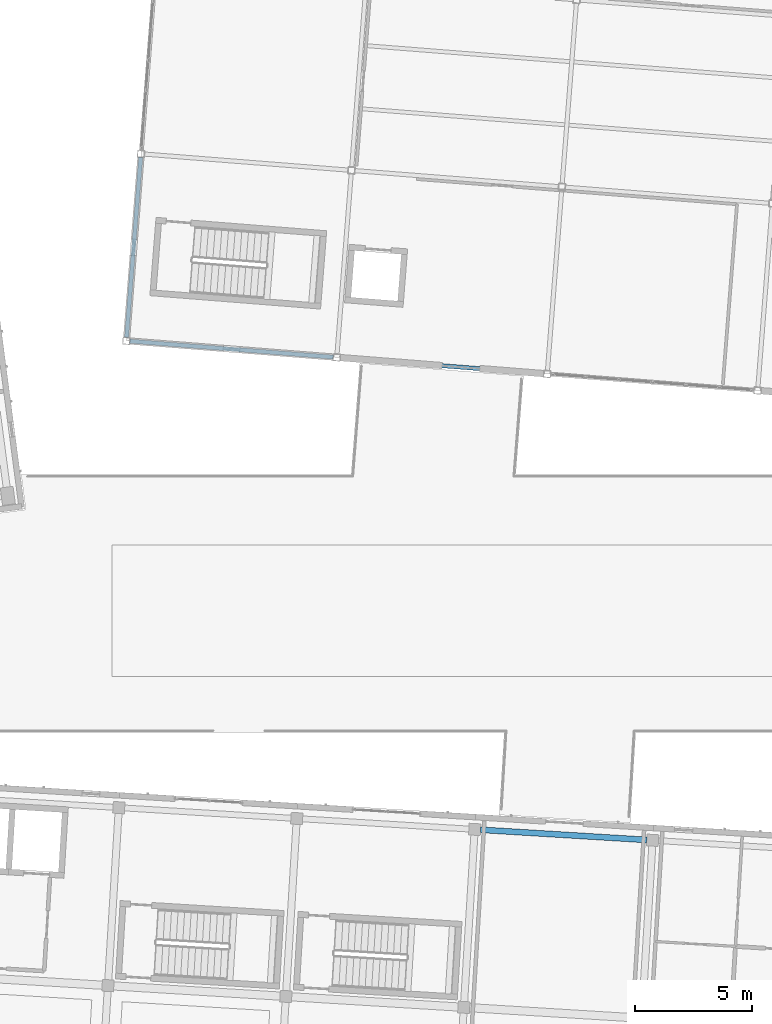
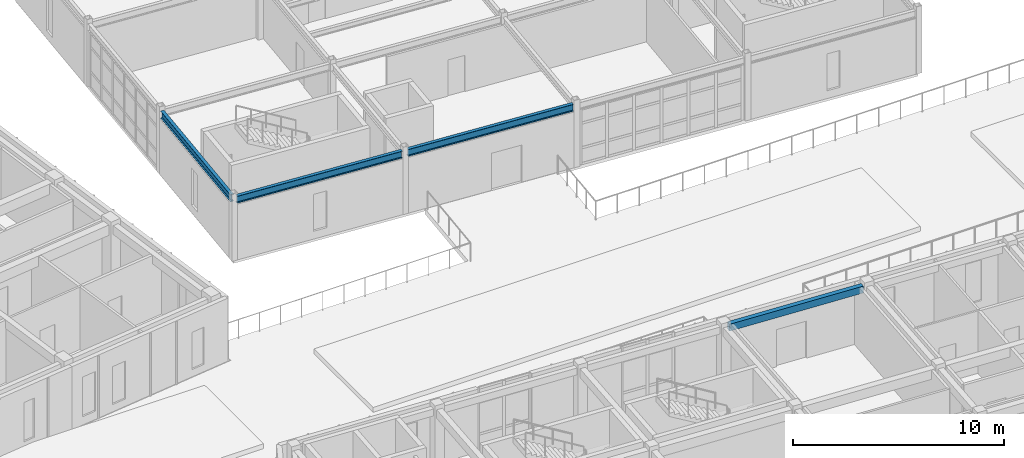
# One storey, part 43 of 150: 4 beams.
"""IFC4 building model written with IfcOpenShell, lengths in metres."""

from ifc_helpers import new_model, si_unit, direction, frame, origin, origin_2d, place, context, subcontext, project, spatial, rectangle, i_section, extrude, material, material_profile, profile_set, type_object, element, save


model = new_model("IFC4")

# Units and contexts
model_context = context("Model", 3, precision=1e-05, world=origin(), true_north=direction((0.0, 1.0)))
body_context = subcontext(model_context, "Body", "Model", "MODEL_VIEW")
ifc_project = project(units=[si_unit("LENGTHUNIT", "METRE"), si_unit("AREAUNIT", "SQUARE_METRE"), si_unit("VOLUMEUNIT", "CUBIC_METRE"), si_unit("PLANEANGLEUNIT", "RADIAN"), si_unit("MASSUNIT", "GRAM", prefix="KILO")], contexts=[model_context])

# Site, building, storey
site_placement = place(None, origin())
site = spatial("IfcSite", under=ifc_project, at=site_placement, CompositionType="ELEMENT")
building_placement = place(site_placement, origin())
building = spatial("IfcBuilding", under=site, at=building_placement, Name="Kestramere Prow Commons", CompositionType="ELEMENT")
storey_placement = place(building_placement, frame((0.0, 0.0, 4.5)))
storey = spatial("IfcBuildingStorey", under=building, at=storey_placement, Name="L01", CompositionType="ELEMENT", Elevation=4.5)

# Beams
ifc_material_1 = material(Name="Steel S355JR", Category="steel")
ifc_material_profile_1 = material_profile(ifc_material_1, i_section(OverallWidth=0.177978515625, OverallDepth=0.406494140625, WebThickness=0.0078125, FlangeThickness=0.0126953125, FilletRadius=0.01025390625, at=origin_2d()), Name="UB 406x178x60")
ifc_profile_set_1 = profile_set([ifc_material_profile_1], Name="Steel S355JR")
beam_type_1 = type_object("IfcBeamType", Name="BM-NR-01 UB 406x178x60 (EX)", PredefinedType="BEAM", material=ifc_profile_set_1)
beam_1_placement = place(storey_placement, frame((68.74951171875, 85.48828125, 3.44677734375), z_axis=(0.996917066238, -0.078462494502, 0.0), x_axis=(0.078462494502, 0.996917066238, 0.0)))
element("IfcBeam", 1, at=beam_1_placement, inside=storey, type_object=beam_type_1, Name="Nursery L01 Beam U 1-1", PredefinedType="BEAM", context=body_context, shape_type="SweptSolid", body=[
    extrude(i_section(OverallWidth=0.177978515625, OverallDepth=0.406494140625, WebThickness=0.0078125, FlangeThickness=0.0126953125, FilletRadius=0.01025390625, at=origin_2d()), origin(), (0.0, 0.0, 1.0), 8.699951171875),
])
beam_2_placement = place(storey_placement, frame((77.7216796875, 84.781982421875, 3.44677734375), z_axis=(0.996919433544, -0.078432410537, 0.0), x_axis=(0.078432410537, 0.996919433544, 0.0)))
element("IfcBeam", 2, at=beam_2_placement, inside=storey, type_object=beam_type_1, Name="Nursery L01 Beam U 1-2", PredefinedType="BEAM", context=body_context, shape_type="SweptSolid", body=[
    extrude(i_section(OverallWidth=0.177978515625, OverallDepth=0.406494140625, WebThickness=0.0078125, FlangeThickness=0.0126953125, FilletRadius=0.01025390625, at=origin_2d()), origin(), (0.0, 0.0, 1.0), 8.7001953125),
])
beam_3_placement = place(storey_placement, frame((68.61181640625, 85.649658203125, 3.44677734375), z_axis=(0.078444588533, 0.996918475368, 0.0), x_axis=(-0.996918475368, 0.078444588533, 0.0)))
element("IfcBeam", 3, at=beam_3_placement, inside=storey, type_object=beam_type_1, Name="Nursery L01 Beam V 1-1", PredefinedType="BEAM", context=body_context, shape_type="SweptSolid", body=[
    extrude(i_section(OverallWidth=0.177978515625, OverallDepth=0.406494140625, WebThickness=0.0078125, FlangeThickness=0.0126953125, FilletRadius=0.01025390625, at=origin_2d()), origin(), (0.0, 0.0, 1.0), 7.69970703125),
])
ifc_material_2 = material(Name="Precast concrete C40/50", Category="concrete")
ifc_material_profile_2 = material_profile(ifc_material_2, rectangle(XDim=0.25, YDim=0.39990234375, at=origin_2d()), Name="PC-SP 250x400")
ifc_profile_set_2 = profile_set([ifc_material_profile_2], Name="Precast concrete C40/50")
beam_type_2 = type_object("IfcBeamType", Name="SP-EXT-01 PC-SP 250x400", PredefinedType="SPANDREL", material=ifc_profile_set_2)
beam_4_placement = place(storey_placement, frame((83.70361328125, 64.65625, 3.449951171875), z_axis=(0.998135568114, -0.061035953884, 0.0), x_axis=(0.061035953884, 0.998135568114, 0.0)))
element("IfcBeam", 4, at=beam_4_placement, inside=storey, type_object=beam_type_2, Name="Block C L01 Longitudinal Beam 4-4", PredefinedType="SPANDREL", context=body_context, shape_type="SweptSolid", body=[
    extrude(rectangle(XDim=0.25, YDim=0.39990234375, at=origin_2d()), origin(), (0.0, 0.0, 1.0), 7.099853515625),
])

save(model, "model.ifc")
